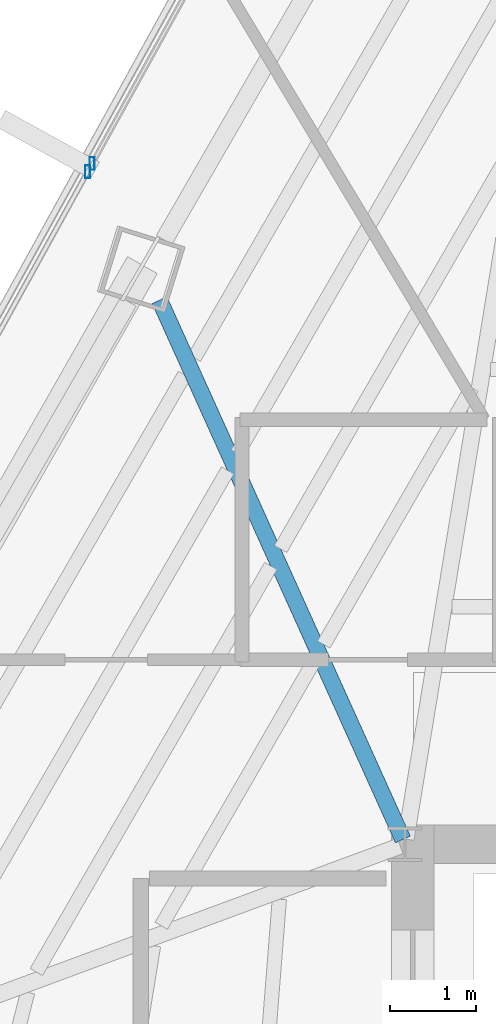
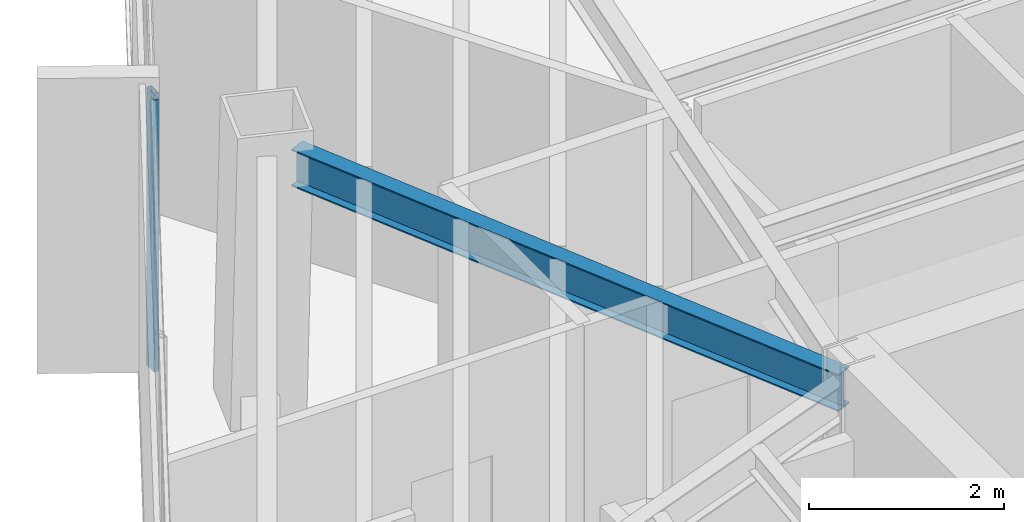
# One storey, part 16 of 40: 2 members, 1 beam, 2 elements without a shape of their own.
"""IFC4 building model written with IfcOpenShell, lengths in metres."""

import ifcopenshell
import ifcopenshell.guid

model = None  # the IFC model being written
_history = None  # IfcOwnerHistory: only IFC2X3 demands one
_inside = {}  # id of a spatial element -> (the spatial element, [elements in it])
_under = {}  # id of a project, library or spatial element -> (it, [spatial elements below it])
_declared = {}  # id of a project -> (the project, [libraries it declares])
_typed = {}  # id of a type object -> (the type object, [elements of that type])
_made_of = {}  # id of a material, layer set ... -> (it, [elements and type objects made of it])


def new_model(schema):
    """Start an empty IFC model of exactly this schema.

    Asked for "IFC4X3", IfcOpenShell would pick the latest addendum, in which some entities
    have other attributes; the version numbers below select the first issue.
    IFC2X3 requires an IfcOwnerHistory on every rooted entity: one is made here for all.
    """
    global model, _history
    if schema == "IFC4X3":
        model = ifcopenshell.file(schema_version=(4, 3, 0, 0))
    else:
        model = ifcopenshell.file(schema=schema)
    _inside.clear()
    _under.clear()
    _declared.clear()
    _typed.clear()
    _made_of.clear()
    _history = None
    if model.schema == "IFC2X3":
        org = make("IfcOrganization", Name="unknown")
        user = make(
            "IfcPersonAndOrganization",
            ThePerson=make("IfcPerson", FamilyName="unknown"),
            TheOrganization=org,
        )
        app = make(
            "IfcApplication",
            ApplicationDeveloper=org,
            Version="unknown",
            ApplicationFullName="unknown",
            ApplicationIdentifier="unknown",
        )
        _history = make(
            "IfcOwnerHistory",
            OwningUser=user,
            OwningApplication=app,
            ChangeAction="ADDED",
            CreationDate=0,
        )
    return model


def make(cls, **values):
    """One entity of the class cls with the attributes given. An attribute that is None is left unset."""
    return model.create_entity(
        cls, **{name: value for name, value in values.items() if value is not None}
    )


def rooted(cls, **values):
    """An entity with a GlobalId (a new one), such as an element, a storey or a relation."""
    return make(cls, GlobalId=ifcopenshell.guid.new(), OwnerHistory=_history, **values)


def si_unit(unit_type, name, prefix=None):
    """IfcSIUnit, for example si_unit("LENGTHUNIT", "METRE", prefix="MILLI")."""
    return make("IfcSIUnit", UnitType=unit_type, Prefix=prefix, Name=name)


def assignment(units):
    """IfcUnitAssignment: the units of a project."""
    return None if units is None else make("IfcUnitAssignment", Units=units)


def point(xyz):
    """IfcCartesianPoint."""
    return None if xyz is None else make("IfcCartesianPoint", Coordinates=xyz)


def direction(xyz):
    """IfcDirection."""
    return None if xyz is None else make("IfcDirection", DirectionRatios=xyz)


def frame(location, z_axis=None, x_axis=None):
    """IfcAxis2Placement3D, a coordinate frame: its origin and axes. An axis left out is left unset."""
    return make(
        "IfcAxis2Placement3D",
        Location=point(location),
        Axis=direction(z_axis),
        RefDirection=direction(x_axis),
    )


def frame_2d(location, x_axis=None):
    """IfcAxis2Placement2D, a coordinate frame in the plane: its origin and x axis."""
    return make(
        "IfcAxis2Placement2D", Location=point(location), RefDirection=direction(x_axis)
    )


def origin():
    """The frame at (0, 0, 0) with its axes left unset."""
    return frame((0.0, 0.0, 0.0))


def origin_2d():
    """The frame at (0, 0) in the plane with its x axis left unset."""
    return frame_2d((0.0, 0.0))


def place(relative_to, where):
    """IfcLocalPlacement: puts the frame where relative to a parent placement (None: the world)."""
    return make(
        "IfcLocalPlacement", PlacementRelTo=relative_to, RelativePlacement=where
    )


def context(
    kind, dimensions, precision=None, world=None, true_north=None, identifier=None
):
    """IfcGeometricRepresentationContext, for example the 3D "Model" context."""
    return make(
        "IfcGeometricRepresentationContext",
        ContextIdentifier=identifier,
        ContextType=kind,
        CoordinateSpaceDimension=dimensions,
        Precision=precision,
        WorldCoordinateSystem=world,
        TrueNorth=true_north,
    )


def subcontext(parent, identifier, kind, view, scale=None):
    """IfcGeometricRepresentationSubContext, for example "Body" below "Model"."""
    return make(
        "IfcGeometricRepresentationSubContext",
        ContextIdentifier=identifier,
        ContextType=kind,
        ParentContext=parent,
        TargetScale=scale,
        TargetView=view,
    )


def project(units=None, contexts=None):
    """IfcProject with its units and contexts."""
    return rooted(
        "IfcProject",
        Name="project",
        RepresentationContexts=contexts,
        UnitsInContext=assignment(units),
    )


def spatial(cls, under=None, at=None, **own):
    """A site, building, storey or space (cls), placed at a placement, below another one or the project."""
    s = rooted(cls, ObjectPlacement=at, **own)
    if under is not None:
        _under.setdefault(under.id(), (under, []))[1].append(s)
    return s


def profile(cls, at=None, kind="AREA", **sizes):
    """A parametric profile (cls). Its sizes go by their IFC names, for example OverallWidth=200.0."""
    return make(cls, ProfileType=kind, Position=at, **sizes)


def hollow_rectangle(**sizes):
    """IfcRectangleHollowProfileDef."""
    return profile("IfcRectangleHollowProfileDef", **sizes)


def i_section(**sizes):
    """IfcIShapeProfileDef."""
    return profile("IfcIShapeProfileDef", **sizes)


def extrude(swept, where, along, depth):
    """IfcExtrudedAreaSolid: the profile swept, set in the frame where, extruded along a direction by depth."""
    return make(
        "IfcExtrudedAreaSolid",
        SweptArea=swept,
        Position=where,
        ExtrudedDirection=direction(along),
        Depth=depth,
    )


def shape(context_of_items, identifier, shape_type, items):
    """IfcShapeRepresentation: the items that make up one representation, for example the "Body"."""
    return make(
        "IfcShapeRepresentation",
        ContextOfItems=context_of_items,
        RepresentationIdentifier=identifier,
        RepresentationType=shape_type,
        Items=items,
    )


def source(mapping_origin, context_of_items, identifier, shape_type, items):
    """IfcRepresentationMap: a shape defined once, which mapped items show again and again."""
    return make(
        "IfcRepresentationMap",
        MappingOrigin=mapping_origin,
        MappedRepresentation=shape(context_of_items, identifier, shape_type, items),
    )


def transform(
    local_origin,
    x_axis=None,
    y_axis=None,
    z_axis=None,
    scale=None,
    scale2=None,
    scale3=None,
    uniform=True,
):
    """IfcCartesianTransformationOperator3D, or its non-uniform kind. x_axis, y_axis, z_axis: its Axis1, 2, 3."""
    if uniform:
        return make(
            "IfcCartesianTransformationOperator3D",
            Axis1=direction(x_axis),
            Axis2=direction(y_axis),
            LocalOrigin=point(local_origin),
            Scale=scale,
            Axis3=direction(z_axis),
        )
    return make(
        "IfcCartesianTransformationOperator3DnonUniform",
        Axis1=direction(x_axis),
        Axis2=direction(y_axis),
        LocalOrigin=point(local_origin),
        Scale=scale,
        Axis3=direction(z_axis),
        Scale2=scale2,
        Scale3=scale3,
    )


def mapped(mapping_source, mapping_target):
    """IfcMappedItem: shows the shape of a source again, moved by a transform."""
    return make(
        "IfcMappedItem", MappingSource=mapping_source, MappingTarget=mapping_target
    )


def material(Name=None, Category=None):
    """IfcMaterial."""
    return make("IfcMaterial", Name=Name, Category=Category)


def material_profile(
    of_material, cross_section, Name=None, Category=None, Priority=None
):
    """IfcMaterialProfile: a cross section and its material."""
    return make(
        "IfcMaterialProfile",
        Name=Name,
        Material=of_material,
        Profile=cross_section,
        Priority=Priority,
        Category=Category,
    )


def profile_set(profiles, Name=None, composite=None):
    """IfcMaterialProfileSet."""
    return make(
        "IfcMaterialProfileSet",
        Name=Name,
        MaterialProfiles=profiles,
        CompositeProfile=composite,
    )


def made_of(thing, what):
    """Note that an element or type object is made of a material, layer set ...; save() writes the relation."""
    if what is not None:
        _made_of.setdefault(what.id(), (what, []))[1].append(thing)
    return thing


def type_object(cls, material=None, **own):
    """A type object (cls), such as IfcWallType, which elements share."""
    return made_of(rooted(cls, **own), material)


def type_shapes(of_type, sources):
    """Give a type object the sources (RepresentationMaps) that its elements show as mapped items."""
    of_type.RepresentationMaps = sources


def element(
    cls,
    number,
    at=None,
    inside=None,
    cuts=None,
    type_object=None,
    material=None,
    context=None,
    identifier="Body",
    shape_type=None,
    held_by="IfcProductDefinitionShape",
    body=None,
    shapes=None,
    **own,
):
    """One element of the class cls, such as IfcWall. Its Tag is "e" and its number.

    at: its placement. inside: the storey or other place that contains it. cuts: it is an
    opening in that element (IfcRelVoidsElement). A single representation is given by context,
    identifier, shape_type and body (its items); several are given by shapes. held_by: the class
    of the entity that holds the representations. save() writes the other relations.
    """
    e = rooted(cls, Tag="e%d" % number, ObjectPlacement=at, **own)
    if body is not None:
        shapes = [shape(context, identifier, shape_type, body)]
    if shapes is not None:
        e.Representation = make(held_by, Representations=shapes)
    if inside is not None:
        _inside.setdefault(inside.id(), (inside, []))[1].append(e)
    if cuts is not None:
        rooted(
            "IfcRelVoidsElement", RelatingBuildingElement=cuts, RelatedOpeningElement=e
        )
    if type_object is not None:
        _typed.setdefault(type_object.id(), (type_object, []))[1].append(e)
    return made_of(e, material)


def aggregate(whole, parts):
    """IfcRelAggregates: a whole, such as a stair, and the parts it consists of."""
    return rooted("IfcRelAggregates", RelatingObject=whole, RelatedObjects=parts)


def save(model, path):
    """Write the relations noted so far, then the file.

    IfcRelAggregates (storeys below a building ...), IfcRelContainedInSpatialStructure (elements
    in a storey), IfcRelDefinesByType, IfcRelAssociatesMaterial and IfcRelDeclares: one each for
    every whole, place, type object, material and project.
    """
    for whole, parts in _under.values():
        aggregate(whole, parts)
    for where, things in _inside.values():
        rooted(
            "IfcRelContainedInSpatialStructure",
            RelatedElements=things,
            RelatingStructure=where,
        )
    for kind, things in _typed.values():
        rooted("IfcRelDefinesByType", RelatedObjects=things, RelatingType=kind)
    for what, things in _made_of.values():
        rooted("IfcRelAssociatesMaterial", RelatedObjects=things, RelatingMaterial=what)
    for by, libraries in _declared.values():
        rooted("IfcRelDeclares", RelatingContext=by, RelatedDefinitions=libraries)
    model.write(path)


model = new_model("IFC4")

# Units and contexts
model_context = context("Model", 3, precision=1e-05, world=origin(), true_north=direction((0.0, 1.0)))
body_context = subcontext(model_context, "Body", "Model", "MODEL_VIEW")
ifc_project = project(units=[si_unit("LENGTHUNIT", "METRE"), si_unit("AREAUNIT", "SQUARE_METRE"), si_unit("VOLUMEUNIT", "CUBIC_METRE"), si_unit("PLANEANGLEUNIT", "RADIAN"), si_unit("MASSUNIT", "GRAM", prefix="KILO")], contexts=[model_context])

# Site, building, storey
site_placement = place(None, origin())
site = spatial("IfcSite", under=ifc_project, at=site_placement, CompositionType="ELEMENT")
building_placement = place(site_placement, origin())
building = spatial("IfcBuilding", under=site, at=building_placement, Name="Caelisora Broadcast Tower", CompositionType="ELEMENT")
storey_placement = place(building_placement, frame((0.0, 0.0, 213.25)))
storey = spatial("IfcBuildingStorey", under=building, at=storey_placement, Name="L56", CompositionType="ELEMENT", Elevation=213.25)

# Beam
ifc_material_1 = material(Name="Steel Grade 350 (AS/NZS 3679.1)", Category="steel")
ifc_material_profile_1 = material_profile(ifc_material_1, i_section(OverallWidth=0.19091796875, OverallDepth=0.46044921875, WebThickness=0.010009765625, FlangeThickness=0.01611328125, at=origin_2d()), Name="Steel Grade 350 (AS/NZS 3679.1)")
ifc_profile_set_1 = profile_set([ifc_material_profile_1], Name="Steel Grade 350 (AS/NZS 3679.1)")
beam_type = type_object("IfcBeamType", Name="PG06", PredefinedType="BEAM", material=ifc_profile_set_1)
shared_shape_1 = source(origin(), body_context, "Body", "SweptSolid", [
    extrude(i_section(OverallWidth=0.19091796875, OverallDepth=0.46044921875, WebThickness=0.010009765625, FlangeThickness=0.01611328125, at=origin_2d()), origin(), (0.0, 0.0, 1.0), 6.8984375),
])
type_shapes(beam_type, [shared_shape_1])
beam_placement = place(storey_placement, frame((30.475341796875, 30.0546875, 3.169921875), z_axis=(-0.411343012305, 0.911480623068, 0.0), x_axis=(-0.911480623068, -0.411343012305, 0.0)))
element("IfcBeam", 1, at=beam_placement, inside=storey, type_object=beam_type, Name="L56 beam PG06", PredefinedType="BEAM", context=body_context, shape_type="MappedRepresentation", body=[
    mapped(shared_shape_1, transform((0.0, 0.0, 0.0), scale=1.0)),
])

# Curtain wall, member
ifc_material_2 = material(Name="Unitised Aluminium Insulated Shadow-Box Spandrel Curtain Wall", Category="aluminium")
curtain_wall_type_1 = type_object("IfcCurtainWallType", Name="CW-SP2", PredefinedType="NOTDEFINED", material=ifc_material_2)
curtain_wall_1_placement = place(storey_placement, origin())
curtain_wall_1 = element("IfcCurtainWall", 2, at=curtain_wall_1_placement, inside=storey, type_object=curtain_wall_type_1, Name="L56 curtain wall CW-SP2", PredefinedType="NOTDEFINED")
ifc_material_3 = material(Name="Aluminium 6063-T6 Anodised Terracotta Bronze", Category="aluminium")
ifc_material_profile_2 = material_profile(ifc_material_3, hollow_rectangle(XDim=0.06005859375, YDim=0.14990234375, WallThickness=0.00341796875, at=origin_2d()), Name="Aluminium 6063-T6 Anodised Terracotta Bronze")
ifc_profile_set_2 = profile_set([ifc_material_profile_2], Name="Aluminium 6063-T6 Anodised Terracotta Bronze")
member_type = type_object("IfcMemberType", Name="CWM-03", PredefinedType="MULLION", material=ifc_profile_set_2)
shared_shape_2 = source(origin(), body_context, "Body", "SweptSolid", [
    extrude(hollow_rectangle(XDim=0.06005859375, YDim=0.14990234375, WallThickness=0.00341796875, at=origin_2d()), origin(), (0.0, 0.0, 1.0), 3.39990234375),
])
type_shapes(member_type, [shared_shape_2])
member_1_placement = place(storey_placement, frame((26.79931640625, 37.839111328125, 0.0), z_axis=(0.0, 0.0, 1.0), x_axis=(1.0, 0.0, 0.0)))
member_1 = element("IfcMember", 3, at=member_1_placement, type_object=member_type, Name="L56-CW-B10 mullion #3", PredefinedType="MULLION", context=body_context, shape_type="MappedRepresentation", body=[
    mapped(shared_shape_2, transform((0.0, 0.0, 0.0), scale=1.0)),
])
aggregate(curtain_wall_1, [member_1])

ifc_material_4 = material(Name="Unitised Aluminium and Low-E Glass Curtain Wall", Category="glass")
curtain_wall_type_2 = type_object("IfcCurtainWallType", Name="CW-Z4", PredefinedType="NOTDEFINED", material=ifc_material_4)
curtain_wall_2_placement = place(storey_placement, origin())
curtain_wall_2 = element("IfcCurtainWall", 4, at=curtain_wall_2_placement, inside=storey, type_object=curtain_wall_type_2, Name="L56 curtain wall CW-Z4", PredefinedType="NOTDEFINED")
member_2_placement = place(storey_placement, frame((26.852294921875, 37.935302734375, 0.0), z_axis=(0.0, 0.0, 1.0), x_axis=(1.0, 0.0, 0.0)))
member_2 = element("IfcMember", 5, at=member_2_placement, type_object=member_type, Name="L56-CW-B11 mullion #0", PredefinedType="MULLION", context=body_context, shape_type="MappedRepresentation", body=[
    mapped(shared_shape_2, transform((0.0, 0.0, 0.0), scale=1.0)),
])
aggregate(curtain_wall_2, [member_2])

save(model, "model.ifc")
